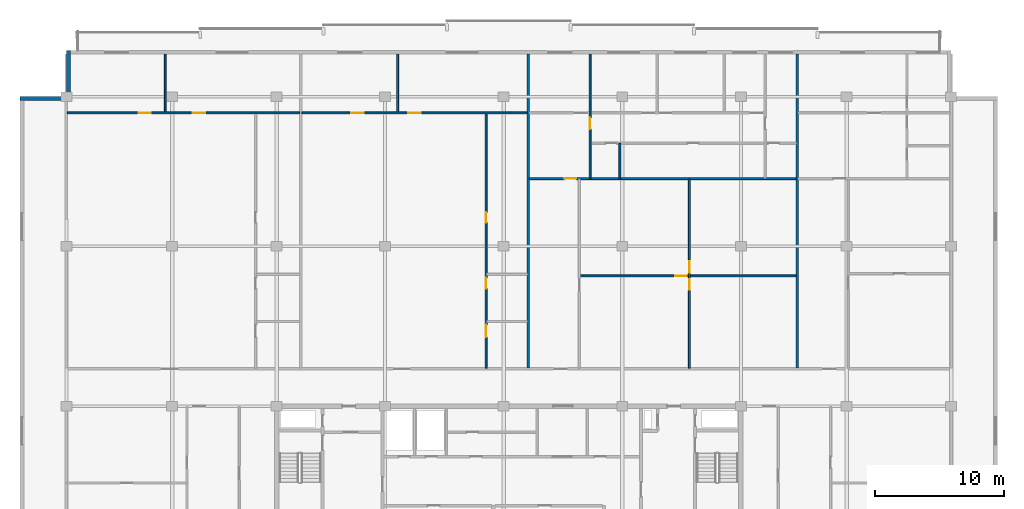
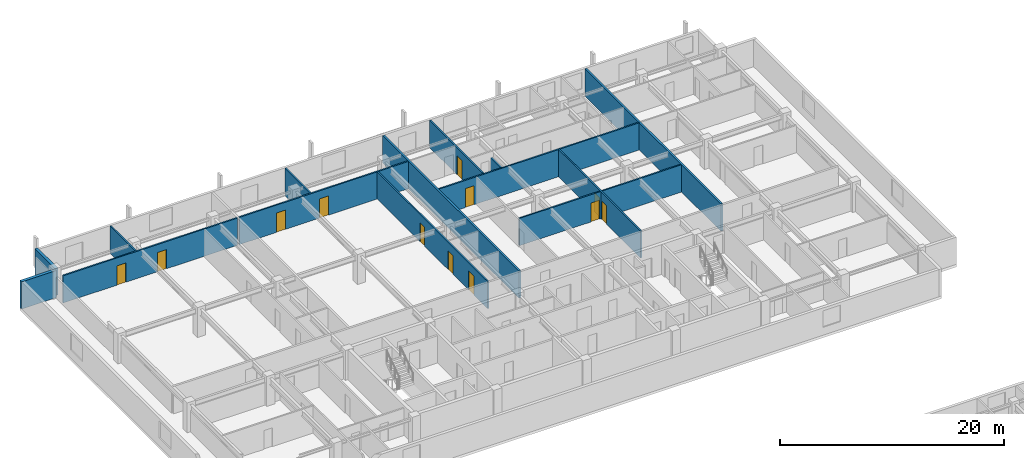
# One storey, part 14 of 22: 14 walls, 12 doors, 12 openings.
"""IFC4 building model written with IfcOpenShell, lengths in metres."""

from ifc_helpers import new_model, si_unit, direction, frame, frame_2d, origin, place, context, subcontext, project, spatial, rectangle, extrude, material, layer, layer_set, type_object, element, fill, save


model = new_model("IFC4")

# Units and contexts
model_context = context("Model", 3, precision=1e-05, world=origin(), true_north=direction((0.0, 1.0)))
body_context = subcontext(model_context, "Body", "Model", "MODEL_VIEW")
ifc_project = project(units=[si_unit("LENGTHUNIT", "METRE"), si_unit("AREAUNIT", "SQUARE_METRE"), si_unit("VOLUMEUNIT", "CUBIC_METRE"), si_unit("PLANEANGLEUNIT", "RADIAN"), si_unit("MASSUNIT", "GRAM", prefix="KILO")], contexts=[model_context])

# Site, building, storey
site_placement = place(None, origin())
site = spatial("IfcSite", under=ifc_project, at=site_placement, CompositionType="ELEMENT")
building_placement = place(site_placement, origin())
building = spatial("IfcBuilding", under=site, at=building_placement, Name="Korimba Cascade Residences", CompositionType="ELEMENT")
storey_placement = place(building_placement, frame((0.0, 0.0, 194.60009765625)))
storey = spatial("IfcBuildingStorey", under=building, at=storey_placement, Name="L56", CompositionType="ELEMENT", Elevation=194.60009765625)

# Walls
ifc_material_1 = material(Name="Precast concrete C40/50", Category="concrete")
ifc_layer_1 = layer(ifc_material_1, 0.300048828125)
ifc_layer_set_1 = layer_set([ifc_layer_1], Name="Precast concrete C40/50")
wall_type_1 = type_object("IfcWallType", Name="EW-STONE-300", PredefinedType="STANDARD", material=ifc_layer_set_1)
for number, where, z_axis, x_axis, name in (
    (1, (59.949951171875, 94.800048828125, 0.0), (0.0, 0.0, 1.0), (0.0, -1.0, 0.0), "L56 T1 Perimeter Stone Wall E07"),
    (2, (59.800048828125, 91.050048828125, 0.0), (0.0, 0.0, 1.0), (-1.0, 0.0, 0.0), "L56 T1 Perimeter Stone Wall E08"),
):
    element("IfcWall", number, at=place(storey_placement, frame(where, z_axis=z_axis, x_axis=x_axis)), inside=storey, type_object=wall_type_1, Name=name, PredefinedType="STANDARD", context=body_context, shape_type="SweptSolid", body=[
        extrude(rectangle(XDim=3.60009765625, YDim=0.300048828125, at=frame_2d((1.800048828125, 0.0))), origin(), (0.0, 0.0, 1.0), 2.969970703125),
    ])
ifc_layer_2 = layer(ifc_material_1, 0.199951171875)
ifc_layer_set_2 = layer_set([ifc_layer_2], Name="Precast concrete C40/50")
wall_type_2 = type_object("IfcWallType", Name="WAL-IT-200", PredefinedType="PARTITIONING", material=ifc_layer_set_2)
for number, where, z_axis, x_axis, name in (
    (3, (95.611328125, 70.179931640625, 0.0), (0.0, 0.0, 1.0), (0.0, 1.0, 0.0), "L56 Partition Wall WAL-L56-T1-DEM-2"),
    (4, (116.452392578125, 70.179931640625, 0.0), (0.0, 0.0, 1.0), (0.0, 1.0, 0.0), "L56 Partition Wall WAL-L56-T1-DEM-3"),
):
    element("IfcWall", number, at=place(storey_placement, frame(where, z_axis=z_axis, x_axis=x_axis)), inside=storey, type_object=wall_type_2, Name=name, PredefinedType="PARTITIONING", context=body_context, shape_type="SweptSolid", body=[
        extrude(rectangle(XDim=24.320068359375, YDim=0.199951171875, at=frame_2d((12.16015625, 0.0))), origin(), (0.0, 0.0, 1.0), 2.969970703125),
    ])
ifc_material_2 = material(Name="Insulated Acoustic Stud Partition", Category="gypsum")
ifc_layer_3 = layer(ifc_material_2, 0.14990234375)
ifc_layer_set_3 = layer_set([ifc_layer_3], Name="Insulated Acoustic Stud Partition")
wall_type_3 = type_object("IfcWallType", Name="WAL-PART-150", PredefinedType="PARTITIONING", material=ifc_layer_set_3)
wall_1_placement = place(storey_placement, frame((67.464111328125, 90.030029296875, 0.0), z_axis=(0.0, 0.0, 1.0), x_axis=(0.0, 1.0, 0.0)))
element("IfcWall", 5, at=wall_1_placement, inside=storey, type_object=wall_type_3, Name="L56 Partition Wall WAL-L56-T1-U01-OUTV", PredefinedType="PARTITIONING", context=body_context, shape_type="SweptSolid", body=[
    extrude(rectangle(XDim=4.469970703125, YDim=0.14990234375, at=frame_2d((2.23486328125, 0.0))), origin(), (0.0, 0.0, 1.0), 2.969970703125),
])

# Wall, openings, doors
wall_2_placement = place(storey_placement, frame((59.8798828125, 89.949951171875, 0.0), z_axis=(0.0, 0.0, 1.0), x_axis=(1.0, 0.0, 0.0)))
wall_2 = element("IfcWall", 6, at=wall_2_placement, inside=storey, type_object=wall_type_3, Name="L56 Partition Wall WAL-L56-T1-U01-HZ", PredefinedType="PARTITIONING", context=body_context, shape_type="SweptSolid", body=[
    extrude(rectangle(XDim=18.00830078125, YDim=0.14990234375, at=frame_2d((9.004150390625, 0.0))), origin(), (0.0, 0.0, 1.0), 2.969970703125),
])
opening_1_placement = place(wall_2_placement, frame((5.533935546875, 0.0, 0.0)))
opening_1 = element("IfcOpeningElement", 7, at=opening_1_placement, cuts=wall_2, Name="Opening D-IN0", PredefinedType="OPENING", context=body_context, shape_type="SweptSolid", body=[
    extrude(rectangle(XDim=0.93994140625, YDim=2.10009765625, at=frame_2d((0.469970703125, 1.050048828125))), frame((0.0, 0.0849609375, 0.0), z_axis=(0.0, -1.0, 0.0), x_axis=(1.0, 0.0, 0.0)), (0.0, 0.0, 1.0), 0.169921875),
])
opening_2_placement = place(wall_2_placement, frame((9.725830078125, 0.0, 0.0)))
opening_2 = element("IfcOpeningElement", 8, at=opening_2_placement, cuts=wall_2, Name="Opening D-IN0", PredefinedType="OPENING", context=body_context, shape_type="SweptSolid", body=[
    extrude(rectangle(XDim=0.93994140625, YDim=2.10009765625, at=frame_2d((0.469970703125, 1.050048828125))), frame((0.0, 0.0849609375, 0.0), z_axis=(0.0, -1.0, 0.0), x_axis=(1.0, 0.0, 0.0)), (0.0, 0.0, 1.0), 0.169921875),
])
ifc_material_3 = material(Name="Acoustic Timber Living Archway Door", Category="wood")
door_type_1 = type_object("IfcDoorType", Name="DR-INT-950", OperationType="NOTDEFINED", PredefinedType="DOOR", material=ifc_material_3)
door_1_placement = place(opening_1_placement, origin())
door_1 = element("IfcDoor", 9, at=door_1_placement, inside=storey, type_object=door_type_1, Name="L56-T1-U01 Resident Gourmet Market Door", OperationType="SINGLE_SWING_LEFT", OverallHeight=2.10009765625, OverallWidth=0.93994140625, PredefinedType="DOOR", context=body_context, shape_type="SweptSolid", body=[
    extrude(rectangle(XDim=0.93994140625, YDim=2.10009765625, at=frame_2d((0.469970703125, 1.050048828125))), frame((0.0, 0.02490234375, 0.0), z_axis=(0.0, -1.0, 0.0), x_axis=(1.0, 0.0, 0.0)), (0.0, 0.0, 1.0), 0.050048828125),
])
fill(opening_1, door_1)
door_2_placement = place(opening_2_placement, origin())
door_2 = element("IfcDoor", 10, at=door_2_placement, inside=storey, type_object=door_type_1, Name="L56-T1-U01 Artisan Gallery Boutique Door", OperationType="SINGLE_SWING_RIGHT", OverallHeight=2.10009765625, OverallWidth=0.93994140625, PredefinedType="DOOR", context=body_context, shape_type="SweptSolid", body=[
    extrude(rectangle(XDim=0.93994140625, YDim=2.10009765625, at=frame_2d((0.469970703125, 1.050048828125))), frame((0.0, 0.02490234375, 0.0), z_axis=(0.0, -1.0, 0.0), x_axis=(1.0, 0.0, 0.0)), (0.0, 0.0, 1.0), 0.050048828125),
])
fill(opening_2, door_2)

wall_3_placement = place(storey_placement, frame((92.34130859375, 70.159912109375, 0.0), z_axis=(0.0, 0.0, 1.0), x_axis=(0.0, 1.0, 0.0)))
wall_3 = element("IfcWall", 11, at=wall_3_placement, inside=storey, type_object=wall_type_3, Name="L56 Partition Wall WAL-L56-T1-U02-WCV", PredefinedType="PARTITIONING", context=body_context, shape_type="SweptSolid", body=[
    extrude(rectangle(XDim=19.72998046875, YDim=0.14990234375, at=frame_2d((9.864990234375, 0.0))), origin(), (0.0, 0.0, 1.0), 2.969970703125),
])
opening_3_placement = place(wall_3_placement, frame((2.406005859375, 0.0, 0.0)))
opening_3 = element("IfcOpeningElement", 12, at=opening_3_placement, cuts=wall_3, Name="Opening D-AC1", PredefinedType="OPENING", context=body_context, shape_type="SweptSolid", body=[
    extrude(rectangle(XDim=0.9599609375, YDim=2.10009765625, at=frame_2d((0.47998046875, 1.050048828125))), frame((0.0, 0.0849609375, 0.0), z_axis=(0.0, -1.0, 0.0), x_axis=(1.0, 0.0, 0.0)), (0.0, 0.0, 1.0), 0.169921875),
])
opening_4_placement = place(wall_3_placement, frame((6.132568359375, 0.0, 0.0)))
opening_4 = element("IfcOpeningElement", 13, at=opening_4_placement, cuts=wall_3, Name="Opening D-IN2", PredefinedType="OPENING", context=body_context, shape_type="SweptSolid", body=[
    extrude(rectangle(XDim=0.8798828125, YDim=2.06005859375, at=frame_2d((0.43994140625, 1.030029296875))), frame((0.0, 0.0849609375, 0.0), z_axis=(0.0, -1.0, 0.0), x_axis=(1.0, 0.0, 0.0)), (0.0, 0.0, 1.0), 0.169921875),
])
opening_5_placement = place(wall_3_placement, frame((11.2578125, 0.0, 0.0)))
opening_5 = element("IfcOpeningElement", 14, at=opening_5_placement, cuts=wall_3, Name="Opening D-BT1", PredefinedType="OPENING", context=body_context, shape_type="SweptSolid", body=[
    extrude(rectangle(XDim=0.840087890625, YDim=2.0400390625, at=frame_2d((0.419921875, 1.02001953125))), frame((0.0, 0.0849609375, 0.0), z_axis=(0.0, -1.0, 0.0), x_axis=(1.0, 0.0, 0.0)), (0.0, 0.0, 1.0), 0.169921875),
])
ifc_material_4 = material(Name="Accessible Acoustic Timber WC Door", Category="wood")
door_type_2 = type_object("IfcDoorType", Name="DR-ACC-950", OperationType="NOTDEFINED", PredefinedType="DOOR", material=ifc_material_4)
door_3_placement = place(opening_3_placement, origin())
door_3 = element("IfcDoor", 15, at=door_3_placement, inside=storey, type_object=door_type_2, Name="L56-T1-U02 Accessible WC Door", OperationType="SINGLE_SWING_LEFT", OverallHeight=2.10009765625, OverallWidth=0.9599609375, PredefinedType="DOOR", context=body_context, shape_type="SweptSolid", body=[
    extrude(rectangle(XDim=0.9599609375, YDim=2.10009765625, at=frame_2d((0.47998046875, 1.050048828125))), frame((0.0, 0.02490234375, 0.0), z_axis=(0.0, -1.0, 0.0), x_axis=(1.0, 0.0, 0.0)), (0.0, 0.0, 1.0), 0.050048828125),
])
fill(opening_3, door_3)
ifc_material_5 = material(Name="Moisture-Resistant Bathroom Timber Door", Category="wood")
door_type_3 = type_object("IfcDoorType", Name="DR-INT-850", OperationType="NOTDEFINED", PredefinedType="DOOR", material=ifc_material_5)
door_4_placement = place(opening_5_placement, origin())
door_4 = element("IfcDoor", 16, at=door_4_placement, inside=storey, type_object=door_type_3, Name="L56-T1-U02 Suite Store Door", OperationType="SINGLE_SWING_LEFT", OverallHeight=2.0400390625, OverallWidth=0.840087890625, PredefinedType="DOOR", context=body_context, shape_type="SweptSolid", body=[
    extrude(rectangle(XDim=0.840087890625, YDim=2.0400390625, at=frame_2d((0.419921875, 1.02001953125))), frame((0.0, 0.02490234375, 0.0), z_axis=(0.0, -1.0, 0.0), x_axis=(1.0, 0.0, 0.0)), (0.0, 0.0, 1.0), 0.050048828125),
])
fill(opening_5, door_4)
ifc_material_6 = material(Name="Acoustic Timber Bedroom Door", Category="wood")
door_type_4 = type_object("IfcDoorType", Name="DR-INT-880", OperationType="NOTDEFINED", PredefinedType="DOOR", material=ifc_material_6)
door_5_placement = place(opening_4_placement, origin())
door_5 = element("IfcDoor", 17, at=door_5_placement, inside=storey, type_object=door_type_4, Name="L56-T1-U02 Restroom WC Door", OperationType="SINGLE_SWING_RIGHT", OverallHeight=2.06005859375, OverallWidth=0.8798828125, PredefinedType="DOOR", context=body_context, shape_type="SweptSolid", body=[
    extrude(rectangle(XDim=0.8798828125, YDim=2.06005859375, at=frame_2d((0.43994140625, 1.030029296875))), frame((0.0, 0.02490234375, 0.0), z_axis=(0.0, -1.0, 0.0), x_axis=(1.0, 0.0, 0.0)), (0.0, 0.0, 1.0), 0.050048828125),
])
fill(opening_4, door_5)

# Wall
wall_4_placement = place(storey_placement, frame((85.48486328125, 90.030029296875, 0.0), z_axis=(0.0, 0.0, 1.0), x_axis=(0.0, 1.0, 0.0)))
element("IfcWall", 18, at=wall_4_placement, inside=storey, type_object=wall_type_3, Name="L56 Partition Wall WAL-L56-T1-U02-OUTV", PredefinedType="PARTITIONING", context=body_context, shape_type="SweptSolid", body=[
    extrude(rectangle(XDim=4.469970703125, YDim=0.14990234375, at=frame_2d((2.23486328125, 0.0))), origin(), (0.0, 0.0, 1.0), 2.969970703125),
])

# Wall, openings, doors
wall_5_placement = place(storey_placement, frame((78.048095703125, 89.949951171875, 0.0), z_axis=(0.0, 0.0, 1.0), x_axis=(1.0, 0.0, 0.0)))
wall_5 = element("IfcWall", 19, at=wall_5_placement, inside=storey, type_object=wall_type_3, Name="L56 Partition Wall WAL-L56-T1-U02-HZ", PredefinedType="PARTITIONING", context=body_context, shape_type="SweptSolid", body=[
    extrude(rectangle(XDim=17.4833984375, YDim=0.14990234375, at=frame_2d((8.74169921875, 0.0))), origin(), (0.0, 0.0, 1.0), 2.969970703125),
])
opening_6_placement = place(wall_5_placement, frame((3.847900390625, 0.0, 0.0)))
opening_6 = element("IfcOpeningElement", 20, at=opening_6_placement, cuts=wall_5, Name="Opening D-IN0", PredefinedType="OPENING", context=body_context, shape_type="SweptSolid", body=[
    extrude(rectangle(XDim=0.93994140625, YDim=2.10009765625, at=frame_2d((0.469970703125, 1.050048828125))), frame((0.0, 0.0849609375, 0.0), z_axis=(0.0, -1.0, 0.0), x_axis=(1.0, 0.0, 0.0)), (0.0, 0.0, 1.0), 0.169921875),
])
opening_7_placement = place(wall_5_placement, frame((8.271484375, 0.0, 0.0)))
opening_7 = element("IfcOpeningElement", 21, at=opening_7_placement, cuts=wall_5, Name="Opening D-IN0", PredefinedType="OPENING", context=body_context, shape_type="SweptSolid", body=[
    extrude(rectangle(XDim=0.93994140625, YDim=2.10009765625, at=frame_2d((0.469970703125, 1.050048828125))), frame((0.0, 0.0849609375, 0.0), z_axis=(0.0, -1.0, 0.0), x_axis=(1.0, 0.0, 0.0)), (0.0, 0.0, 1.0), 0.169921875),
])
door_6_placement = place(opening_6_placement, origin())
door_6 = element("IfcDoor", 22, at=door_6_placement, inside=storey, type_object=door_type_1, Name="L56-T1-U02 Fitness Pilates Gym Door", OperationType="SINGLE_SWING_RIGHT", OverallHeight=2.10009765625, OverallWidth=0.93994140625, PredefinedType="DOOR", context=body_context, shape_type="SweptSolid", body=[
    extrude(rectangle(XDim=0.93994140625, YDim=2.10009765625, at=frame_2d((0.469970703125, 1.050048828125))), frame((0.0, 0.02490234375, 0.0), z_axis=(0.0, -1.0, 0.0), x_axis=(1.0, 0.0, 0.0)), (0.0, 0.0, 1.0), 0.050048828125),
])
fill(opening_6, door_6)
door_7_placement = place(opening_7_placement, origin())
door_7 = element("IfcDoor", 23, at=door_7_placement, inside=storey, type_object=door_type_1, Name="L56-T1-U02 Private Screening Cinema Door", OperationType="SINGLE_SWING_LEFT", OverallHeight=2.10009765625, OverallWidth=0.93994140625, PredefinedType="DOOR", context=body_context, shape_type="SweptSolid", body=[
    extrude(rectangle(XDim=0.93994140625, YDim=2.10009765625, at=frame_2d((0.469970703125, 1.050048828125))), frame((0.0, 0.02490234375, 0.0), z_axis=(0.0, -1.0, 0.0), x_axis=(1.0, 0.0, 0.0)), (0.0, 0.0, 1.0), 0.050048828125),
])
fill(opening_7, door_7)

wall_6_placement = place(storey_placement, frame((108.106689453125, 70.159912109375, 0.0), z_axis=(0.0, 0.0, 1.0), x_axis=(0.0, 1.0, 0.0)))
wall_6 = element("IfcWall", 24, at=wall_6_placement, inside=storey, type_object=wall_type_3, Name="L56 Partition Wall WAL-L56-T1-U03-FMV", PredefinedType="PARTITIONING", context=body_context, shape_type="SweptSolid", body=[
    extrude(rectangle(XDim=14.650146484375, YDim=0.14990234375, at=frame_2d((7.3251953125, 0.0))), origin(), (0.0, 0.0, 1.0), 2.969970703125),
])
opening_8_placement = place(wall_6_placement, frame((6.054931640625, 0.0, 0.0)))
opening_8 = element("IfcOpeningElement", 25, at=opening_8_placement, cuts=wall_6, Name="Opening D-BT1", PredefinedType="OPENING", context=body_context, shape_type="SweptSolid", body=[
    extrude(rectangle(XDim=0.840087890625, YDim=2.0400390625, at=frame_2d((0.419921875, 1.02001953125))), frame((0.0, 0.0849609375, 0.0), z_axis=(0.0, -1.0, 0.0), x_axis=(1.0, 0.0, 0.0)), (0.0, 0.0, 1.0), 0.169921875),
])
opening_9_placement = place(wall_6_placement, frame((7.39501953125, 0.0, 0.0)))
opening_9 = element("IfcOpeningElement", 26, at=opening_9_placement, cuts=wall_6, Name="Opening D-IN2", PredefinedType="OPENING", context=body_context, shape_type="SweptSolid", body=[
    extrude(rectangle(XDim=0.8798828125, YDim=2.06005859375, at=frame_2d((0.43994140625, 1.030029296875))), frame((0.0, 0.0849609375, 0.0), z_axis=(0.0, -1.0, 0.0), x_axis=(1.0, 0.0, 0.0)), (0.0, 0.0, 1.0), 0.169921875),
])
door_8_placement = place(opening_8_placement, origin())
door_8 = element("IfcDoor", 27, at=door_8_placement, inside=storey, type_object=door_type_3, Name="L56-T1-U03 Wardrobe Door", OperationType="SINGLE_SWING_RIGHT", OverallHeight=2.0400390625, OverallWidth=0.840087890625, PredefinedType="DOOR", context=body_context, shape_type="SweptSolid", body=[
    extrude(rectangle(XDim=0.840087890625, YDim=2.0400390625, at=frame_2d((0.419921875, 1.02001953125))), frame((0.0, 0.02490234375, 0.0), z_axis=(0.0, -1.0, 0.0), x_axis=(1.0, 0.0, 0.0)), (0.0, 0.0, 1.0), 0.050048828125),
])
fill(opening_8, door_8)
door_9_placement = place(opening_9_placement, origin())
door_9 = element("IfcDoor", 28, at=door_9_placement, inside=storey, type_object=door_type_4, Name="L56-T1-U03 Music Lounge Door", OperationType="SINGLE_SWING_LEFT", OverallHeight=2.06005859375, OverallWidth=0.8798828125, PredefinedType="DOOR", context=body_context, shape_type="SweptSolid", body=[
    extrude(rectangle(XDim=0.8798828125, YDim=2.06005859375, at=frame_2d((0.43994140625, 1.030029296875))), frame((0.0, 0.02490234375, 0.0), z_axis=(0.0, -1.0, 0.0), x_axis=(1.0, 0.0, 0.0)), (0.0, 0.0, 1.0), 0.050048828125),
])
fill(opening_9, door_9)

# Wall, opening, door
wall_7_placement = place(storey_placement, frame((99.641357421875, 77.304931640625, 0.0), z_axis=(0.0, 0.0, 1.0), x_axis=(1.0, 0.0, 0.0)))
wall_7 = element("IfcWall", 29, at=wall_7_placement, inside=storey, type_object=wall_type_3, Name="L56 Partition Wall WAL-L56-T1-U03-FMH", PredefinedType="PARTITIONING", context=body_context, shape_type="SweptSolid", body=[
    extrude(rectangle(XDim=16.73095703125, YDim=0.14990234375, at=frame_2d((8.365478515625, 0.0))), origin(), (0.0, 0.0, 1.0), 2.969970703125),
])
opening_10_placement = place(wall_7_placement, frame((7.365478515625, 0.0, 0.0)))
opening_10 = element("IfcOpeningElement", 30, at=opening_10_placement, cuts=wall_7, Name="Opening D-IN2", PredefinedType="OPENING", context=body_context, shape_type="SweptSolid", body=[
    extrude(rectangle(XDim=0.8798828125, YDim=2.06005859375, at=frame_2d((0.43994140625, 1.030029296875))), frame((0.0, 0.0849609375, 0.0), z_axis=(0.0, -1.0, 0.0), x_axis=(1.0, 0.0, 0.0)), (0.0, 0.0, 1.0), 0.169921875),
])
door_10_placement = place(opening_10_placement, origin())
door_10 = element("IfcDoor", 31, at=door_10_placement, inside=storey, type_object=door_type_4, Name="L56-T1-U03 Library Salon Door", OperationType="SINGLE_SWING_RIGHT", OverallHeight=2.06005859375, OverallWidth=0.8798828125, PredefinedType="DOOR", context=body_context, shape_type="SweptSolid", body=[
    extrude(rectangle(XDim=0.8798828125, YDim=2.06005859375, at=frame_2d((0.43994140625, 1.030029296875))), frame((0.0, 0.02490234375, 0.0), z_axis=(0.0, -1.0, 0.0), x_axis=(1.0, 0.0, 0.0)), (0.0, 0.0, 1.0), 0.050048828125),
])
fill(opening_10, door_10)

# Wall
wall_8_placement = place(storey_placement, frame((102.71142578125, 84.889892578125, 0.0), z_axis=(0.0, 0.0, 1.0), x_axis=(0.0, 1.0, 0.0)))
element("IfcWall", 32, at=wall_8_placement, inside=storey, type_object=wall_type_3, Name="L56 Partition Wall WAL-L56-T1-U03-VDRS", PredefinedType="PARTITIONING", context=body_context, shape_type="SweptSolid", body=[
    extrude(rectangle(XDim=2.690185546875, YDim=0.14990234375, at=frame_2d((1.34521484375, 0.0))), origin(), (0.0, 0.0, 1.0), 2.277099609375),
])

# Wall, opening, door
wall_9_placement = place(storey_placement, frame((100.4013671875, 84.889892578125, 0.0), z_axis=(0.0, 0.0, 1.0), x_axis=(0.0, 1.0, 0.0)))
wall_9 = element("IfcWall", 33, at=wall_9_placement, inside=storey, type_object=wall_type_3, Name="L56 Partition Wall WAL-L56-T1-U03-V1", PredefinedType="PARTITIONING", context=body_context, shape_type="SweptSolid", body=[
    extrude(rectangle(XDim=9.610107421875, YDim=0.14990234375, at=frame_2d((4.80517578125, 0.0))), origin(), (0.0, 0.0, 1.0), 2.969970703125),
])
opening_11_placement = place(wall_9_placement, frame((3.770263671875, 0.0, 0.0)))
opening_11 = element("IfcOpeningElement", 34, at=opening_11_placement, cuts=wall_9, Name="Opening D-IN1", PredefinedType="OPENING", context=body_context, shape_type="SweptSolid", body=[
    extrude(rectangle(XDim=0.919921875, YDim=2.080078125, at=frame_2d((0.4599609375, 1.0400390625))), frame((0.0, 0.0849609375, 0.0), z_axis=(0.0, -1.0, 0.0), x_axis=(1.0, 0.0, 0.0)), (0.0, 0.0, 1.0), 0.169921875),
])
ifc_material_7 = material(Name="Acoustic Timber Living Door", Category="wood")
door_type_5 = type_object("IfcDoorType", Name="DR-INT-920", OperationType="NOTDEFINED", PredefinedType="DOOR", material=ifc_material_7)
door_11_placement = place(opening_11_placement, origin())
door_11 = element("IfcDoor", 35, at=door_11_placement, inside=storey, type_object=door_type_5, Name="L56-T1-U03 Hallway Door", OperationType="SINGLE_SWING_RIGHT", OverallHeight=2.080078125, OverallWidth=0.919921875, PredefinedType="DOOR", context=body_context, shape_type="SweptSolid", body=[
    extrude(rectangle(XDim=0.919921875, YDim=2.080078125, at=frame_2d((0.4599609375, 1.0400390625))), frame((0.0, 0.02490234375, 0.0), z_axis=(0.0, -1.0, 0.0), x_axis=(1.0, 0.0, 0.0)), (0.0, 0.0, 1.0), 0.050048828125),
])
fill(opening_11, door_11)

wall_10_placement = place(storey_placement, frame((95.69140625, 84.85009765625, 0.0), z_axis=(0.0, 0.0, 1.0), x_axis=(1.0, 0.0, 0.0)))
wall_10 = element("IfcWall", 36, at=wall_10_placement, inside=storey, type_object=wall_type_3, Name="L56 Partition Wall WAL-L56-T1-U03-MW", PredefinedType="PARTITIONING", context=body_context, shape_type="SweptSolid", body=[
    extrude(rectangle(XDim=20.680908203125, YDim=0.14990234375, at=frame_2d((10.34033203125, 0.0))), origin(), (0.0, 0.0, 1.0), 2.969970703125),
])
opening_12_placement = place(wall_10_placement, frame((2.719970703125, 0.0, 0.0)))
opening_12 = element("IfcOpeningElement", 37, at=opening_12_placement, cuts=wall_10, Name="Opening D-IN1", PredefinedType="OPENING", context=body_context, shape_type="SweptSolid", body=[
    extrude(rectangle(XDim=0.919921875, YDim=2.080078125, at=frame_2d((0.4599609375, 1.0400390625))), frame((0.0, 0.0849609375, 0.0), z_axis=(0.0, -1.0, 0.0), x_axis=(1.0, 0.0, 0.0)), (0.0, 0.0, 1.0), 0.169921875),
])
door_12_placement = place(opening_12_placement, origin())
door_12 = element("IfcDoor", 38, at=door_12_placement, inside=storey, type_object=door_type_5, Name="L56-T1-U03 Kitchen Door", OperationType="SINGLE_SWING_LEFT", OverallHeight=2.080078125, OverallWidth=0.919921875, PredefinedType="DOOR", context=body_context, shape_type="SweptSolid", body=[
    extrude(rectangle(XDim=0.919921875, YDim=2.080078125, at=frame_2d((0.4599609375, 1.0400390625))), frame((0.0, 0.02490234375, 0.0), z_axis=(0.0, -1.0, 0.0), x_axis=(1.0, 0.0, 0.0)), (0.0, 0.0, 1.0), 0.050048828125),
])
fill(opening_12, door_12)

save(model, "model.ifc")
